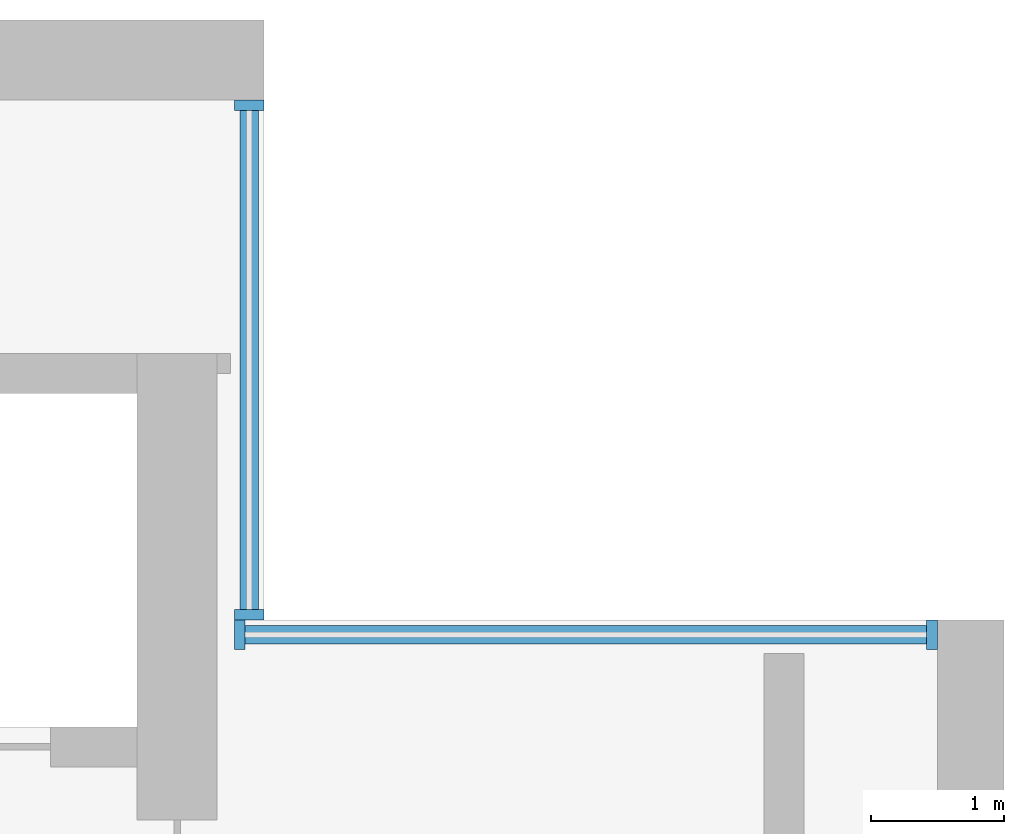
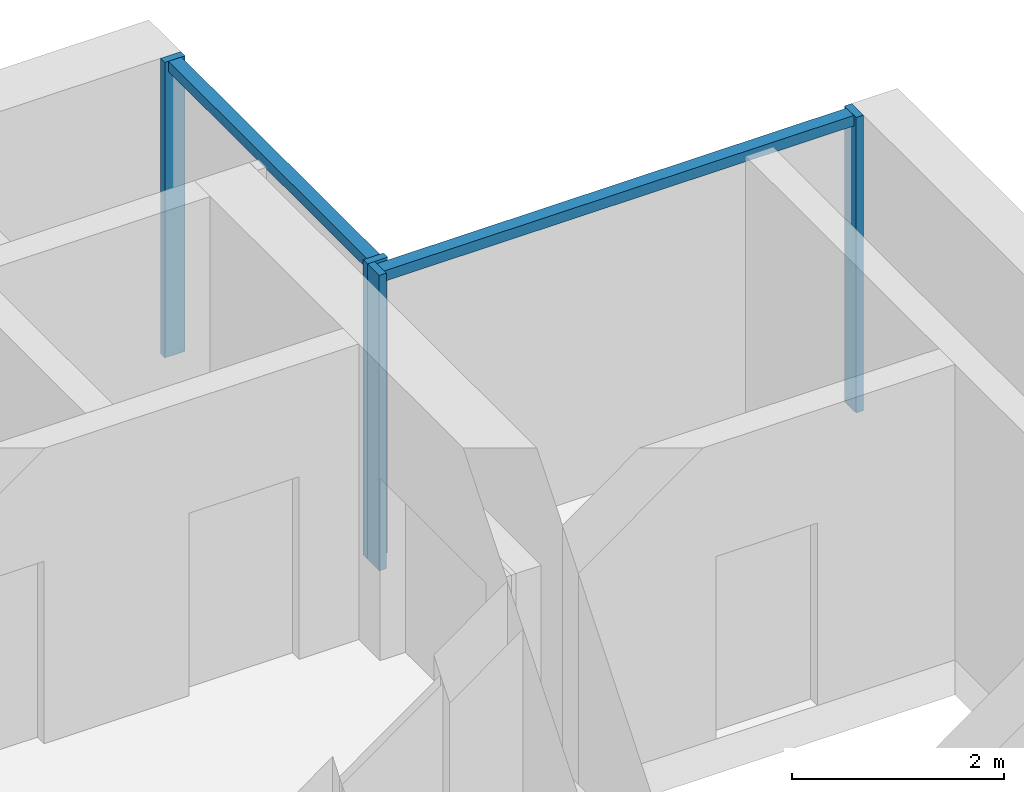
# One storey, part 5 of 14: 6 members, 2 elements without a shape of their own.
"""IFC4 building model written with IfcOpenShell, lengths in metres."""

from ifc_helpers import new_model, si_unit, direction, frame, origin, origin_2d, place, context, subcontext, project, spatial, rectangle, extrude, material, material_profile, profile_set, type_object, element, aggregate, save


model = new_model("IFC4")

# Units and contexts
model_context = context("Model", 3, precision=1e-05, world=origin(), true_north=direction((0.0, 1.0)))
body_context = subcontext(model_context, "Body", "Model", "MODEL_VIEW")
ifc_project = project(units=[si_unit("LENGTHUNIT", "METRE"), si_unit("AREAUNIT", "SQUARE_METRE"), si_unit("VOLUMEUNIT", "CUBIC_METRE"), si_unit("PLANEANGLEUNIT", "RADIAN"), si_unit("MASSUNIT", "GRAM", prefix="KILO")], contexts=[model_context])

# Site, building, storey
site_placement = place(None, origin())
site = spatial("IfcSite", under=ifc_project, at=site_placement, CompositionType="ELEMENT")
building_placement = place(site_placement, origin())
building = spatial("IfcBuilding", under=site, at=building_placement, Name="Calvaro Tower", CompositionType="ELEMENT")
storey_placement = place(building_placement, frame((0.0, 0.0, 235.550048828125)))
storey = spatial("IfcBuildingStorey", under=building, at=storey_placement, Name="L59", CompositionType="ELEMENT", Elevation=235.550048828125)

# Curtain wall, members
ifc_material_1 = material(Name="Anodised aluminium", Category="aluminium")
curtain_wall_type = type_object("IfcCurtainWallType", Name="Executive curtain wall", PredefinedType="NOTDEFINED", material=ifc_material_1)
curtain_wall_1_placement = place(storey_placement, origin())
curtain_wall_1 = element("IfcCurtainWall", 1, at=curtain_wall_1_placement, inside=storey, type_object=curtain_wall_type, Name="CW4 corner curtain wall", PredefinedType="NOTDEFINED")
ifc_material_2 = material(Name="Anodised aluminium", Category="aluminium")
ifc_material_profile_1 = material_profile(ifc_material_2, rectangle(XDim=0.219970703125, YDim=0.080078125, at=origin_2d()), Name="Mullion S4 80 x 220")
ifc_profile_set_1 = profile_set([ifc_material_profile_1], Name="Anodised aluminium")
member_type_1 = type_object("IfcMemberType", Name="Mullion S4 80 x 220", PredefinedType="MULLION", material=ifc_profile_set_1)
member_1_placement = place(storey_placement, frame((60.340087890625, 41.5400390625, 0.0), z_axis=(0.0, 0.0, 1.0), x_axis=(-1.0, 0.0, 0.0)))
member_1 = element("IfcMember", 2, at=member_1_placement, type_object=member_type_1, Name="CW4 mullion 1", PredefinedType="MULLION", context=body_context, shape_type="SweptSolid", body=[
    extrude(rectangle(XDim=0.219970703125, YDim=0.080078125, at=origin_2d()), origin(), (0.0, 0.0, 1.0), 3.39990234375),
])
member_2_placement = place(storey_placement, frame((60.340087890625, 45.360107421875, 0.0), z_axis=(0.0, 0.0, 1.0), x_axis=(-1.0, 0.0, 0.0)))
member_2 = element("IfcMember", 3, at=member_2_placement, type_object=member_type_1, Name="CW4 mullion 2", PredefinedType="MULLION", context=body_context, shape_type="SweptSolid", body=[
    extrude(rectangle(XDim=0.219970703125, YDim=0.080078125, at=origin_2d()), origin(), (0.0, 0.0, 1.0), 3.39990234375),
])

curtain_wall_2_placement = place(storey_placement, origin())
curtain_wall_2 = element("IfcCurtainWall", 4, at=curtain_wall_2_placement, inside=storey, type_object=curtain_wall_type, Name="CW4 corner curtain wall", PredefinedType="NOTDEFINED")
member_3_placement = place(storey_placement, frame((60.27001953125, 41.389892578125, 0.0), z_axis=(0.0, 0.0, 1.0), x_axis=(0.0, 1.0, 0.0)))
member_3 = element("IfcMember", 5, at=member_3_placement, type_object=member_type_1, Name="CW4 mullion 1", PredefinedType="MULLION", context=body_context, shape_type="SweptSolid", body=[
    extrude(rectangle(XDim=0.219970703125, YDim=0.080078125, at=origin_2d()), origin(), (0.0, 0.0, 1.0), 3.39990234375),
])
member_4_placement = place(storey_placement, frame((65.4599609375, 41.389892578125, 0.0), z_axis=(0.0, 0.0, 1.0), x_axis=(0.0, 1.0, 0.0)))
member_4 = element("IfcMember", 6, at=member_4_placement, type_object=member_type_1, Name="CW4 mullion 2", PredefinedType="MULLION", context=body_context, shape_type="SweptSolid", body=[
    extrude(rectangle(XDim=0.219970703125, YDim=0.080078125, at=origin_2d()), origin(), (0.0, 0.0, 1.0), 3.39990234375),
])

# Member
ifc_material_3 = material(Name="Anodised aluminium", Category="aluminium")
ifc_material_profile_2 = material_profile(ifc_material_3, rectangle(XDim=0.139892578125, YDim=0.1201171875, at=origin_2d()), Name="Transom S4 120 x 140")
ifc_profile_set_2 = profile_set([ifc_material_profile_2], Name="Anodised aluminium")
member_type_2 = type_object("IfcMemberType", Name="Transom S4 120 x 140", PredefinedType="USERDEFINED", material=ifc_profile_set_2)
member_5_placement = place(storey_placement, frame((60.340087890625, 41.580078125, 3.33984375), z_axis=(0.0, 1.0, 0.0), x_axis=(-1.0, 0.0, 0.0)))
member_5 = element("IfcMember", 7, at=member_5_placement, type_object=member_type_2, Name="CW4 transom 1.1", ObjectType="TRANSOM", PredefinedType="USERDEFINED", context=body_context, shape_type="SweptSolid", body=[
    extrude(rectangle(XDim=0.139892578125, YDim=0.1201171875, at=origin_2d()), origin(), (0.0, 0.0, 1.0), 3.739990234375),
])

aggregate(curtain_wall_1, [member_1, member_2, member_5])

member_6_placement = place(storey_placement, frame((60.31005859375, 41.389892578125, 3.33984375), z_axis=(1.0, 0.0, 0.0), x_axis=(0.0, 1.0, 0.0)))
member_6 = element("IfcMember", 8, at=member_6_placement, type_object=member_type_2, Name="CW4 transom 1.1", ObjectType="TRANSOM", PredefinedType="USERDEFINED", context=body_context, shape_type="SweptSolid", body=[
    extrude(rectangle(XDim=0.139892578125, YDim=0.1201171875, at=origin_2d()), origin(), (0.0, 0.0, 1.0), 5.10986328125),
])

aggregate(curtain_wall_2, [member_3, member_4, member_6])

save(model, "model.ifc")
